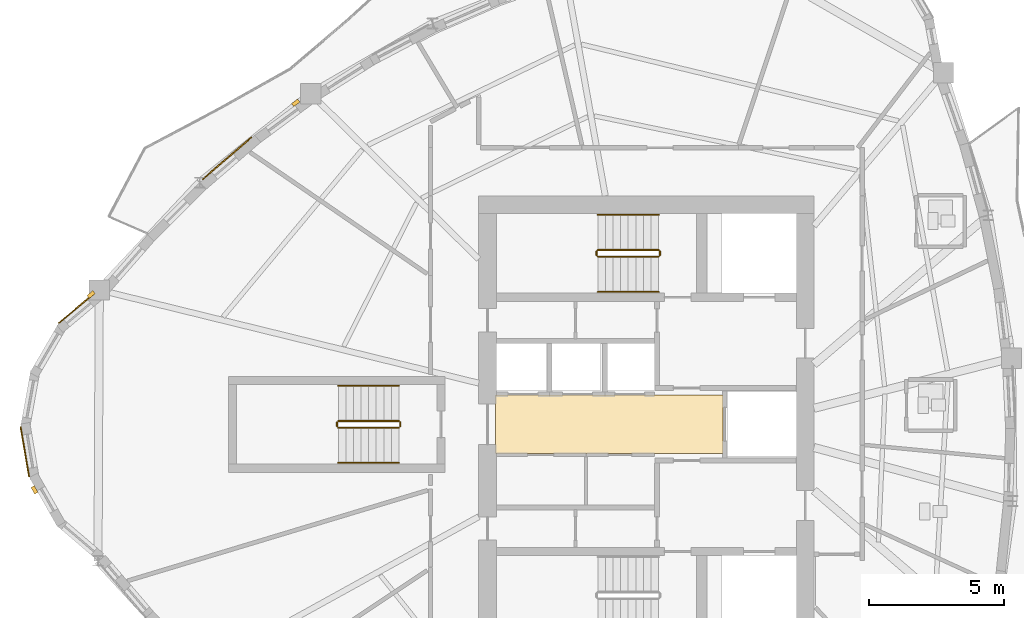
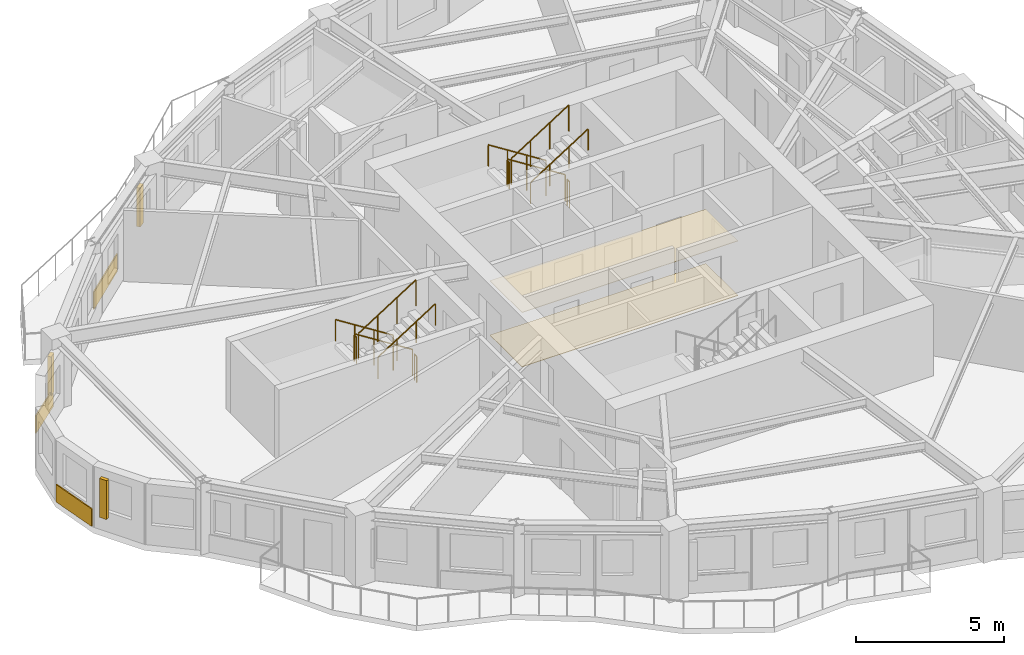
# One storey, part 10 of 12: 12 railings, 5 coverings, 3 shading devices.
"""IFC4 building model written with IfcOpenShell, lengths in metres."""

from ifc_helpers import new_model, si_unit, direction, frame, origin, origin_2d, place, context, subcontext, project, spatial, polyline, rectangle, circle, outline, extrude, source, transform, mapped, material, layer, layer_set, type_object, element, save


model = new_model("IFC4")

# Units and contexts
model_context = context("Model", 3, precision=1e-05, world=origin(), true_north=direction((0.0, 1.0)))
body_context = subcontext(model_context, "Body", "Model", "MODEL_VIEW")
ifc_project = project(units=[si_unit("LENGTHUNIT", "METRE"), si_unit("AREAUNIT", "SQUARE_METRE"), si_unit("VOLUMEUNIT", "CUBIC_METRE"), si_unit("PLANEANGLEUNIT", "RADIAN"), si_unit("MASSUNIT", "GRAM", prefix="KILO")], contexts=[model_context])

# Site, building, storey
site_placement = place(None, origin())
site = spatial("IfcSite", under=ifc_project, at=site_placement, CompositionType="ELEMENT")
building_placement = place(site_placement, origin())
building = spatial("IfcBuilding", under=site, at=building_placement, Name="Qafzar Sky-Pleat Residences", CompositionType="ELEMENT")
storey_placement = place(building_placement, frame((0.0, 0.0, 149.0)))
storey = spatial("IfcBuildingStorey", under=building, at=storey_placement, Name="L44", CompositionType="ELEMENT", Elevation=149.0)

# Coverings
ifc_material_1 = material(Name="Perforated acoustic gypsum board ceiling")
ifc_layer_1 = layer(ifc_material_1, 0.02001953125)
ifc_layer_set_1 = layer_set([ifc_layer_1], Name="Perforated acoustic gypsum board ceiling")
covering_type_1 = type_object("IfcCoveringType", Name="COV-CEIL-ACOUSTIC", PredefinedType="CEILING", material=ifc_layer_set_1)
covering_1_placement = place(storey_placement, frame((0.0, 0.0, 2.239990234375)))
element("IfcCovering", 1, at=covering_1_placement, inside=storey, type_object=covering_type_1, Name="L44 Passenger Lift Lobby Acoustic Ceiling", PredefinedType="CEILING", context=body_context, shape_type="SweptSolid", body=[
    extrude(outline(polyline([(33.179931640625, 24.919921875), (24.77001953125, 24.919921875), (24.77001953125, 27.080078125), (33.179931640625, 27.080078125), (33.179931640625, 24.919921875)])), origin(), (0.0, 0.0, 1.0), 0.02001953125),
])
ifc_material_2 = material(Name="Honed porcelain and Riyadh stone tile flooring", Category="masonry")
ifc_layer_2 = layer(ifc_material_2, 0.02001953125)
ifc_layer_set_2 = layer_set([ifc_layer_2], Name="Honed porcelain and Riyadh stone tile flooring")
covering_type_2 = type_object("IfcCoveringType", Name="COV-FLR-PORCELAIN", PredefinedType="FLOORING", material=ifc_layer_set_2)
covering_2_placement = place(storey_placement, origin())
element("IfcCovering", 2, at=covering_2_placement, inside=storey, type_object=covering_type_2, Name="L44 Passenger Lift Lobby Honed Stone Flooring", PredefinedType="FLOORING", context=body_context, shape_type="SweptSolid", body=[
    extrude(outline(polyline([(33.179931640625, 24.919921875), (24.77001953125, 24.919921875), (24.77001953125, 27.080078125), (33.179931640625, 27.080078125), (33.179931640625, 24.919921875)])), origin(), (0.0, 0.0, 1.0), 0.02001953125),
])

# Shading devices
ifc_material_3 = material(Name="Honed Riyadh limestone solar fin", Category="masonry")
ifc_layer_3 = layer(ifc_material_3, 0.139892578125)
ifc_layer_set_3 = layer_set([ifc_layer_3], Name="Honed Riyadh limestone solar fin")
shading_device_type = type_object("IfcShadingDeviceType", Name="SHD-FIN-STONE", PredefinedType="SHUTTER", material=ifc_layer_set_3)
shared_shape_1 = source(origin(), body_context, "Body", "SweptSolid", [
    extrude(rectangle(XDim=0.139892578125, YDim=0.280029296875, at=origin_2d()), origin(), (0.0, 0.0, 1.0), 1.60009765625),
])
for number, where, z_axis, x_axis, name in (
    (3, (9.8173828125, 30.799560546875, 0.599853515625), (0.0, 0.0, 1.0), (-0.642178681306, 0.766554982552, 0.0), "L44 Limestone Solar Fin 1"),
    (4, (7.720458984375, 23.57470703125, 0.599853515625), (0.0, 0.0, 1.0), (-0.86961473554, -0.493730910245, 0.0), "L44 Limestone Solar Fin 5"),
    (5, (17.3837890625, 37.890380859375, 0.599853515625), (0.0, 0.0, 1.0), (-0.594883001651, 0.803812300445, 0.0), "L44 Limestone Solar Fin 45"),
):
    element("IfcShadingDevice", number, at=place(storey_placement, frame(where, z_axis=z_axis, x_axis=x_axis)), inside=storey, type_object=shading_device_type, Name=name, PredefinedType="SHUTTER", context=body_context, shape_type="MappedRepresentation", body=[
        mapped(shared_shape_1, transform((0.0, 0.0, 0.0), x_axis=(1.0, 0.0, 0.0), y_axis=(0.0, 1.0, 0.0), z_axis=(0.0, 0.0, 1.0), scale=1.0)),
    ])

# Coverings
ifc_material_4 = material(Name="Honed Riyadh Tuwaiq limestone cladding", Category="masonry")
ifc_layer_4 = layer(ifc_material_4, 0.044921875)
ifc_layer_set_4 = layer_set([ifc_layer_4], Name="Honed Riyadh Tuwaiq limestone cladding")
covering_type_3 = type_object("IfcCoveringType", Name="COV-CLAD-STONE", PredefinedType="CLADDING", material=ifc_layer_set_4)
shared_shape_2 = source(origin(), body_context, "Body", "SweptSolid", [
    extrude(rectangle(XDim=1.699462890625, YDim=0.044921875, at=origin_2d()), origin(), (0.0, 0.0, 1.0), 0.719970703125),
])
covering_3_placement = place(storey_placement, frame((9.26220703125, 30.278564453125, 0.02001953125), z_axis=(0.0, 0.0, 1.0), x_axis=(-0.766590937902, -0.642135759732, 0.0)))
element("IfcCovering", 6, at=covering_3_placement, inside=storey, type_object=covering_type_3, Name="L44 Riyadh Limestone Spandrel Cladding 1", PredefinedType="CLADDING", context=body_context, shape_type="MappedRepresentation", body=[
    mapped(shared_shape_2, transform((0.0, 0.0, 0.0), x_axis=(1.0, 0.0, 0.0), y_axis=(0.0, 1.0, 0.0), z_axis=(0.0, 0.0, 1.0), scale=1.0)),
])
shared_shape_3 = source(origin(), body_context, "Body", "SweptSolid", [
    extrude(rectangle(XDim=1.873046875, YDim=0.044921875, at=origin_2d()), origin(), (0.0, 0.0, 1.0), 0.719970703125),
])
covering_4_placement = place(storey_placement, frame((7.36572265625, 24.98046875, 0.02001953125), z_axis=(0.0, 0.0, 1.0), x_axis=(0.168083505524, -0.985772760412, 0.0)))
element("IfcCovering", 7, at=covering_4_placement, inside=storey, type_object=covering_type_3, Name="L44 Riyadh Limestone Spandrel Cladding 4", PredefinedType="CLADDING", context=body_context, shape_type="MappedRepresentation", body=[
    mapped(shared_shape_3, transform((0.0, 0.0, 0.0), x_axis=(1.0, 0.0, 0.0), y_axis=(0.0, 1.0, 0.0), z_axis=(0.0, 0.0, 1.0), scale=1.0)),
])
shared_shape_4 = source(origin(), body_context, "Body", "SweptSolid", [
    extrude(rectangle(XDim=2.3984375, YDim=0.044921875, at=origin_2d()), origin(), (0.0, 0.0, 1.0), 0.719970703125),
])
covering_5_placement = place(storey_placement, frame((14.84228515625, 35.836669921875, 0.02001953125), z_axis=(0.0, 0.0, 1.0), x_axis=(-0.757495062246, -0.652840892311, 0.0)))
element("IfcCovering", 8, at=covering_5_placement, inside=storey, type_object=covering_type_3, Name="L44 Riyadh Limestone Spandrel Cladding 46", PredefinedType="CLADDING", context=body_context, shape_type="MappedRepresentation", body=[
    mapped(shared_shape_4, transform((0.0, 0.0, 0.0), x_axis=(1.0, 0.0, 0.0), y_axis=(0.0, 1.0, 0.0), z_axis=(0.0, 0.0, 1.0), scale=1.0)),
])

# Railings
ifc_material_5 = material(Name="Painted Steel S355 stair guardrail", Category="steel")
railing_type_1 = type_object("IfcRailingType", Name="RAIL-STAIR-GUARD", PredefinedType="GUARDRAIL", material=ifc_material_5)
shared_shape_5 = source(origin(), body_context, "Body", "SweptSolid", [
    extrude(circle(Radius=0.02392578125, at=origin_2d()), frame((0.0, 0.0, 1.076171875), z_axis=(0.0, -1.0, 0.0), x_axis=(1.0, 0.0, 0.0)), (0.0, 0.0, 1.0), 0.14990234375),
    extrude(circle(Radius=0.02099609375, at=origin_2d()), origin(), (0.0, 0.0, 1.0), 1.052001953125),
    extrude(circle(Radius=0.02099609375, at=origin_2d()), frame((0.0, -0.14990234375, 0.0)), (0.0, 0.0, 1.0), 1.052001953125),
])
for number, where, name in (
    (9, (28.510009765625, 32.39990234375, 1.60009765625), "L44 ST2 stair guard 2"),
    (10, (30.85009765625, 32.39990234375, 0.0), "L44 ST2 stair guard 4"),
    (11, (18.909912109375, 26.074951171875, 1.60009765625), "L44 ST3 stair guard 2"),
    (12, (21.25, 26.074951171875, 0.0), "L44 ST3 stair guard 4"),
):
    element("IfcRailing", number, at=place(storey_placement, frame(where)), inside=storey, type_object=railing_type_1, Name=name, PredefinedType="GUARDRAIL", context=body_context, shape_type="MappedRepresentation", body=[
        mapped(shared_shape_5, transform((0.0, 0.0, 0.0), x_axis=(1.0, 0.0, 0.0), y_axis=(0.0, 1.0, 0.0), z_axis=(0.0, 0.0, 1.0), scale=1.0)),
    ])
shared_shape_6 = source(origin(), body_context, "Body", "SweptSolid", [
    extrude(circle(Radius=0.02392578125, at=origin_2d()), frame((0.0, 0.0, 1.076171875), z_axis=(0.8442293374, 0.0, 0.53598211339), x_axis=(0.0, 1.0, 0.0)), (0.0, 0.0, 1.0), 2.6533203125),
    extrude(circle(Radius=0.02099609375, at=origin_2d()), origin(), (0.0, 0.0, 1.0), 1.052001953125),
    extrude(circle(Radius=0.02099609375, at=origin_2d()), frame((0.74658203125, 0.0, 0.47412109375)), (0.0, 0.0, 1.0), 1.052001953125),
    extrude(circle(Radius=0.02099609375, at=origin_2d()), frame((1.493408203125, 0.0, 0.947998046875)), (0.0, 0.0, 1.0), 1.052001953125),
    extrude(circle(Radius=0.02099609375, at=origin_2d()), frame((2.239990234375, 0.0, 1.422119140625)), (0.0, 0.0, 1.0), 1.052001953125),
])
for number, where, name in (
    (13, (28.56005859375, 32.199951171875, 1.77783203125), "L44 ST2 stair guard 3"),
    (14, (18.9599609375, 25.875, 1.77783203125), "L44 ST3 stair guard 3"),
):
    element("IfcRailing", number, at=place(storey_placement, frame(where)), inside=storey, type_object=railing_type_1, Name=name, PredefinedType="GUARDRAIL", context=body_context, shape_type="MappedRepresentation", body=[
        mapped(shared_shape_6, transform((0.0, 0.0, 0.0), x_axis=(1.0, 0.0, 0.0), y_axis=(0.0, 1.0, 0.0), z_axis=(0.0, 0.0, 1.0), scale=1.0)),
    ])
ifc_material_6 = material(Name="Brushed stainless steel handrail", Category="steel")
railing_type_2 = type_object("IfcRailingType", Name="RAIL-STAIR-HAND", PredefinedType="HANDRAIL", material=ifc_material_6)
shared_shape_7 = source(origin(), body_context, "Body", "SweptSolid", [
    extrude(circle(Radius=0.02392578125, at=origin_2d()), frame((0.0, 0.0, 0.8759765625), z_axis=(0.8442293374, 0.0, 0.53598211339), x_axis=(0.0, 1.0, 0.0)), (0.0, 0.0, 1.0), 2.6533203125),
    extrude(circle(Radius=0.02099609375, at=origin_2d()), origin(), (0.0, 0.0, 1.0), 0.851806640625),
    extrude(circle(Radius=0.02099609375, at=origin_2d()), frame((0.74658203125, 0.0, 0.47412109375)), (0.0, 0.0, 1.0), 0.851806640625),
    extrude(circle(Radius=0.02099609375, at=origin_2d()), frame((1.493408203125, 0.0, 0.947998046875)), (0.0, 0.0, 1.0), 0.851806640625),
    extrude(circle(Radius=0.02099609375, at=origin_2d()), frame((2.239990234375, 0.0, 1.422119140625)), (0.0, 0.0, 1.0), 0.851806640625),
])
for number, where, name in (
    (15, (28.56005859375, 30.89990234375, 1.77783203125), "L44 ST2 stair handrail 2"),
    (16, (18.9599609375, 24.574951171875, 1.77783203125), "L44 ST3 stair handrail 2"),
):
    element("IfcRailing", number, at=place(storey_placement, frame(where)), inside=storey, type_object=railing_type_2, Name=name, PredefinedType="HANDRAIL", context=body_context, shape_type="MappedRepresentation", body=[
        mapped(shared_shape_7, transform((0.0, 0.0, 0.0), x_axis=(1.0, 0.0, 0.0), y_axis=(0.0, 1.0, 0.0), z_axis=(0.0, 0.0, 1.0), scale=1.0)),
    ])
shared_shape_8 = source(origin(), body_context, "Body", "SweptSolid", [
    extrude(circle(Radius=0.02392578125, at=origin_2d()), frame((0.0, 0.0, 1.076171875), z_axis=(-0.84418770128, 0.0, 0.536047689118), x_axis=(0.0, -1.0, 0.0)), (0.0, 0.0, 1.0), 2.6533203125),
    extrude(circle(Radius=0.02099609375, at=origin_2d()), origin(), (0.0, 0.0, 1.0), 1.052001953125),
    extrude(circle(Radius=0.02099609375, at=origin_2d()), frame((-0.74658203125, 0.0, 0.47412109375)), (0.0, 0.0, 1.0), 1.052001953125),
    extrude(circle(Radius=0.02099609375, at=origin_2d()), frame((-1.493408203125, 0.0, 0.9482421875)), (0.0, 0.0, 1.0), 1.052001953125),
    extrude(circle(Radius=0.02099609375, at=origin_2d()), frame((-2.239990234375, 0.0, 1.42236328125)), (0.0, 0.0, 1.0), 1.052001953125),
])
for number, where, name in (
    (17, (30.800048828125, 32.449951171875, 0.177734375), "L44 ST2 stair guard 1"),
    (18, (21.199951171875, 26.125, 0.177734375), "L44 ST3 stair guard 1"),
):
    element("IfcRailing", number, at=place(storey_placement, frame(where)), inside=storey, type_object=railing_type_1, Name=name, PredefinedType="GUARDRAIL", context=body_context, shape_type="MappedRepresentation", body=[
        mapped(shared_shape_8, transform((0.0, 0.0, 0.0), x_axis=(1.0, 0.0, 0.0), y_axis=(0.0, 1.0, 0.0), z_axis=(0.0, 0.0, 1.0), scale=1.0)),
    ])
shared_shape_9 = source(origin(), body_context, "Body", "SweptSolid", [
    extrude(circle(Radius=0.02392578125, at=origin_2d()), frame((0.0, 0.0, 0.8759765625), z_axis=(-0.84418770128, 0.0, 0.536047689118), x_axis=(0.0, -1.0, 0.0)), (0.0, 0.0, 1.0), 2.6533203125),
    extrude(circle(Radius=0.02099609375, at=origin_2d()), origin(), (0.0, 0.0, 1.0), 0.851806640625),
    extrude(circle(Radius=0.02099609375, at=origin_2d()), frame((-0.74658203125, 0.0, 0.47412109375)), (0.0, 0.0, 1.0), 0.851806640625),
    extrude(circle(Radius=0.02099609375, at=origin_2d()), frame((-1.493408203125, 0.0, 0.9482421875)), (0.0, 0.0, 1.0), 0.851806640625),
    extrude(circle(Radius=0.02099609375, at=origin_2d()), frame((-2.239990234375, 0.0, 1.42236328125)), (0.0, 0.0, 1.0), 0.851806640625),
])
for number, where, name in (
    (19, (30.800048828125, 33.75, 0.177734375), "L44 ST2 stair handrail 1"),
    (20, (21.199951171875, 27.425048828125, 0.177734375), "L44 ST3 stair handrail 1"),
):
    element("IfcRailing", number, at=place(storey_placement, frame(where)), inside=storey, type_object=railing_type_2, Name=name, PredefinedType="HANDRAIL", context=body_context, shape_type="MappedRepresentation", body=[
        mapped(shared_shape_9, transform((0.0, 0.0, 0.0), x_axis=(1.0, 0.0, 0.0), y_axis=(0.0, 1.0, 0.0), z_axis=(0.0, 0.0, 1.0), scale=1.0)),
    ])

save(model, "model.ifc")
